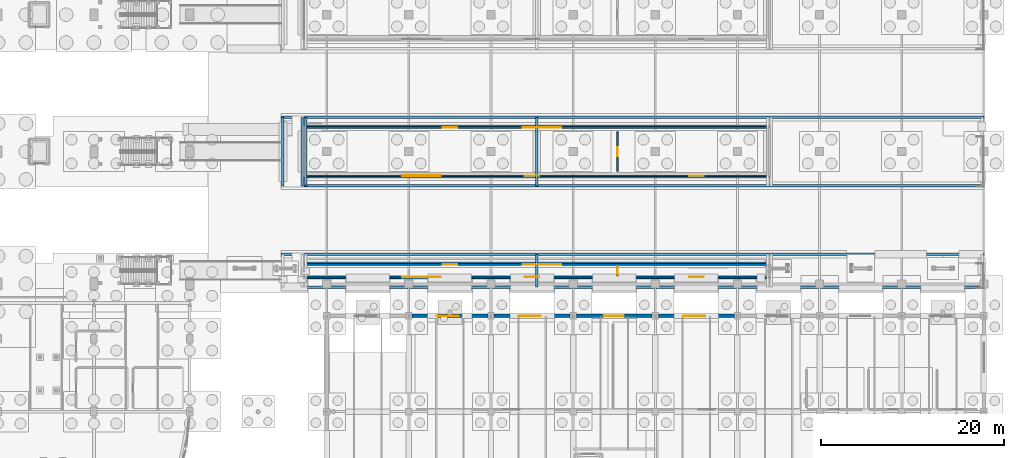
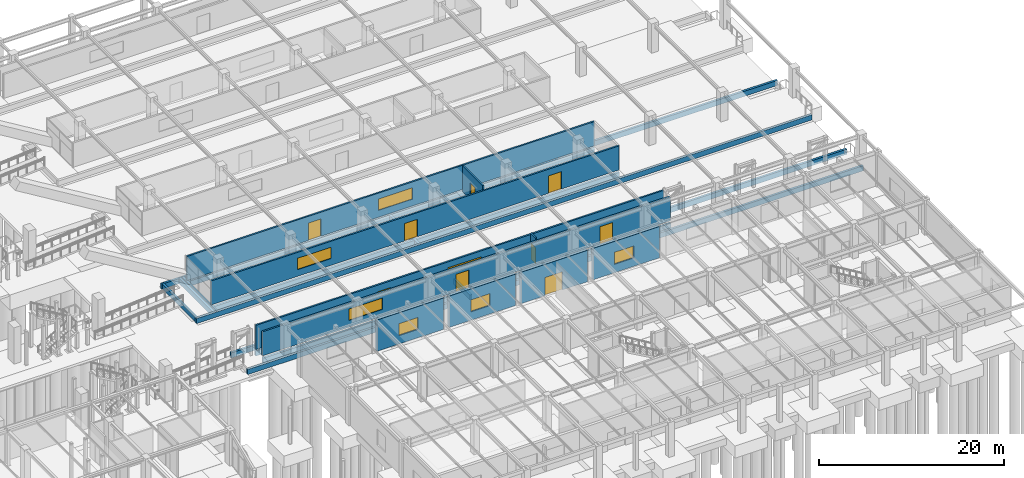
# One storey, part 108 of 160: 23 walls, 9 doors, 7 windows, 16 openings.
"""IFC4 building model written with IfcOpenShell, lengths in metres."""

from ifc_helpers import new_model, si_unit, direction, frame, frame_2d, origin, place, context, subcontext, project, spatial, rectangle, extrude, material, layer, layer_set, type_object, element, fill, save


model = new_model("IFC4")

# Units and contexts
model_context = context("Model", 3, precision=1e-05, world=origin(), true_north=direction((0.0, 1.0)))
body_context = subcontext(model_context, "Body", "Model", "MODEL_VIEW")
ifc_project = project(units=[si_unit("LENGTHUNIT", "METRE"), si_unit("AREAUNIT", "SQUARE_METRE"), si_unit("VOLUMEUNIT", "CUBIC_METRE"), si_unit("PLANEANGLEUNIT", "RADIAN"), si_unit("MASSUNIT", "GRAM", prefix="KILO")], contexts=[model_context])

# Site, building, storey
site_placement = place(None, origin())
site = spatial("IfcSite", under=ifc_project, at=site_placement, CompositionType="ELEMENT")
building_placement = place(site_placement, origin())
building = spatial("IfcBuilding", under=site, at=building_placement, Name="Marlcrest Central Station", CompositionType="ELEMENT")
storey_placement = place(building_placement, origin())
storey = spatial("IfcBuildingStorey", under=building, at=storey_placement, Name="L00", CompositionType="ELEMENT", Elevation=0.0)

# Wall, opening, window
ifc_material_1 = material(Name="St. Thomas limestone on Concrete C40/50", Category="masonry")
ifc_layer_1 = layer(ifc_material_1, 0.360107421875, Name="EW-06")
ifc_layer_set_1 = layer_set([ifc_layer_1], Name="St. Thomas limestone on Concrete C40/50")
wall_type_1 = type_object("IfcWallType", Name="EW-06", PredefinedType="SOLIDWALL", material=ifc_layer_set_1)
wall_1_placement = place(storey_placement, frame((153.35009765625, 33.0, 0.0), z_axis=(0.0, 0.0, 1.0), x_axis=(1.0, 0.0, 0.0)))
wall_1 = element("IfcWall", 1, at=wall_1_placement, inside=storey, type_object=wall_type_1, Name="ewall-L00-0040", PredefinedType="SOLIDWALL", context=body_context, shape_type="SweptSolid", body=[
    extrude(rectangle(XDim=8.2998046875, YDim=0.360107421875, at=frame_2d((4.14990234375, 0.0))), origin(), (0.0, 0.0, 1.0), 4.14990234375),
])
opening_1_placement = place(wall_1_placement, frame((2.699951171875, 0.0, 1.10009765625)))
opening_1 = element("IfcOpeningElement", 2, at=opening_1_placement, cuts=wall_1, Name="Opening WN-02", PredefinedType="OPENING", context=body_context, shape_type="SweptSolid", body=[
    extrude(rectangle(XDim=2.39990234375, YDim=1.60009765625, at=frame_2d((1.199951171875, 0.800048828125))), frame((0.0, 0.18994140625, 0.0), z_axis=(0.0, -1.0, 0.0), x_axis=(1.0, 0.0, 0.0)), (0.0, 0.0, 1.0), 0.380126953125),
])
ifc_material_2 = material(Name="Thermally broken bronze-anodised aluminium and laminated low-E glass", Category="aluminium")
window_type_1 = type_object("IfcWindowType", Name="WN-02", PartitioningType="SINGLE_PANEL", PredefinedType="WINDOW", material=ifc_material_2)
window_1_placement = place(opening_1_placement, origin())
window_1 = element("IfcWindow", 3, at=window_1_placement, inside=storey, type_object=window_type_1, Name="ewin-L00-0010", OverallHeight=1.60009765625, OverallWidth=2.39990234375, PartitioningType="SINGLE_PANEL", PredefinedType="WINDOW", context=body_context, shape_type="SweptSolid", body=[
    extrude(rectangle(XDim=2.39990234375, YDim=1.60009765625, at=frame_2d((1.199951171875, 0.800048828125))), frame((0.0, 0.030029296875, 0.0), z_axis=(0.0, -1.0, 0.0), x_axis=(1.0, 0.0, 0.0)), (0.0, 0.0, 1.0), 0.06005859375),
])
fill(opening_1, window_1)

wall_2_placement = place(storey_placement, frame((162.35009765625, 33.0, 0.0), z_axis=(0.0, 0.0, 1.0), x_axis=(1.0, 0.0, 0.0)))
wall_2 = element("IfcWall", 4, at=wall_2_placement, inside=storey, type_object=wall_type_1, Name="ewall-L00-0042", PredefinedType="SOLIDWALL", context=body_context, shape_type="SweptSolid", body=[
    extrude(rectangle(XDim=8.2998046875, YDim=0.360107421875, at=frame_2d((4.14990234375, 0.0))), origin(), (0.0, 0.0, 1.0), 4.14990234375),
])
opening_2_placement = place(wall_2_placement, frame((2.699951171875, 0.0, 1.10009765625)))
opening_2 = element("IfcOpeningElement", 5, at=opening_2_placement, cuts=wall_2, Name="Opening WN-02", PredefinedType="OPENING", context=body_context, shape_type="SweptSolid", body=[
    extrude(rectangle(XDim=2.39990234375, YDim=1.60009765625, at=frame_2d((1.199951171875, 0.800048828125))), frame((0.0, 0.18994140625, 0.0), z_axis=(0.0, -1.0, 0.0), x_axis=(1.0, 0.0, 0.0)), (0.0, 0.0, 1.0), 0.380126953125),
])
window_2_placement = place(opening_2_placement, origin())
window_2 = element("IfcWindow", 6, at=window_2_placement, inside=storey, type_object=window_type_1, Name="ewin-L00-0011", OverallHeight=1.60009765625, OverallWidth=2.39990234375, PartitioningType="SINGLE_PANEL", PredefinedType="WINDOW", context=body_context, shape_type="SweptSolid", body=[
    extrude(rectangle(XDim=2.39990234375, YDim=1.60009765625, at=frame_2d((1.199951171875, 0.800048828125))), frame((0.0, 0.030029296875, 0.0), z_axis=(0.0, -1.0, 0.0), x_axis=(1.0, 0.0, 0.0)), (0.0, 0.0, 1.0), 0.06005859375),
])
fill(opening_2, window_2)

# Wall, opening, door
wall_3_placement = place(storey_placement, frame((171.35009765625, 33.0, 0.0), z_axis=(0.0, 0.0, 1.0), x_axis=(1.0, 0.0, 0.0)))
wall_3 = element("IfcWall", 7, at=wall_3_placement, inside=storey, type_object=wall_type_1, Name="ewall-L00-0044", PredefinedType="SOLIDWALL", context=body_context, shape_type="SweptSolid", body=[
    extrude(rectangle(XDim=8.2998046875, YDim=0.360107421875, at=frame_2d((4.14990234375, 0.0))), origin(), (0.0, 0.0, 1.0), 4.14990234375),
])
opening_3_placement = place(wall_3_placement, frame((3.0, 0.0, 0.0)))
opening_3 = element("IfcOpeningElement", 8, at=opening_3_placement, cuts=wall_3, Name="Opening ED-01", PredefinedType="OPENING", context=body_context, shape_type="SweptSolid", body=[
    extrude(rectangle(XDim=2.199951171875, YDim=2.39990234375, at=frame_2d((1.10009765625, 1.199951171875))), frame((0.0, 0.18994140625, 0.0), z_axis=(0.0, -1.0, 0.0), x_axis=(1.0, 0.0, 0.0)), (0.0, 0.0, 1.0), 0.380126953125),
])
ifc_material_3 = material(Name="Thermally broken anodised aluminium and laminated safety glass", Category="aluminium")
door_type_1 = type_object("IfcDoorType", Name="ED-01", OperationType="DOUBLE_DOOR_SINGLE_SWING", PredefinedType="DOOR", material=ifc_material_3)
door_1_placement = place(opening_3_placement, origin())
door_1 = element("IfcDoor", 9, at=door_1_placement, inside=storey, type_object=door_type_1, Name="Retail Wing Stair Discharge Exit Door 023", OperationType="DOUBLE_DOOR_SINGLE_SWING", OverallHeight=2.39990234375, OverallWidth=2.199951171875, PredefinedType="DOOR", context=body_context, shape_type="SweptSolid", body=[
    extrude(rectangle(XDim=2.199951171875, YDim=2.39990234375, at=frame_2d((1.10009765625, 1.199951171875))), frame((0.0, 0.02490234375, 0.0), z_axis=(0.0, -1.0, 0.0), x_axis=(1.0, 0.0, 0.0)), (0.0, 0.0, 1.0), 0.050048828125),
])
fill(opening_3, door_1)

# Wall, opening, window
wall_4_placement = place(storey_placement, frame((180.35009765625, 33.0, 0.0), z_axis=(0.0, 0.0, 1.0), x_axis=(1.0, 0.0, 0.0)))
wall_4 = element("IfcWall", 10, at=wall_4_placement, inside=storey, type_object=wall_type_1, Name="ewall-L00-0046", PredefinedType="SOLIDWALL", context=body_context, shape_type="SweptSolid", body=[
    extrude(rectangle(XDim=8.2998046875, YDim=0.360107421875, at=frame_2d((4.14990234375, 0.0))), origin(), (0.0, 0.0, 1.0), 4.14990234375),
])
opening_4_placement = place(wall_4_placement, frame((2.699951171875, 0.0, 1.10009765625)))
opening_4 = element("IfcOpeningElement", 11, at=opening_4_placement, cuts=wall_4, Name="Opening WN-02", PredefinedType="OPENING", context=body_context, shape_type="SweptSolid", body=[
    extrude(rectangle(XDim=2.39990234375, YDim=1.60009765625, at=frame_2d((1.199951171875, 0.800048828125))), frame((0.0, 0.18994140625, 0.0), z_axis=(0.0, -1.0, 0.0), x_axis=(1.0, 0.0, 0.0)), (0.0, 0.0, 1.0), 0.380126953125),
])
window_3_placement = place(opening_4_placement, origin())
window_3 = element("IfcWindow", 12, at=window_3_placement, inside=storey, type_object=window_type_1, Name="ewin-L00-0014", OverallHeight=1.60009765625, OverallWidth=2.39990234375, PartitioningType="SINGLE_PANEL", PredefinedType="WINDOW", context=body_context, shape_type="SweptSolid", body=[
    extrude(rectangle(XDim=2.39990234375, YDim=1.60009765625, at=frame_2d((1.199951171875, 0.800048828125))), frame((0.0, 0.030029296875, 0.0), z_axis=(0.0, -1.0, 0.0), x_axis=(1.0, 0.0, 0.0)), (0.0, 0.0, 1.0), 0.06005859375),
])
fill(opening_4, window_3)

# Wall, openings, doors, window
ifc_material_4 = material(Name="Concrete C35/45", Category="concrete")
ifc_layer_2 = layer(ifc_material_4, 0.2099609375, Name="EW-08")
ifc_layer_set_2 = layer_set([ifc_layer_2], Name="Concrete C35/45")
wall_type_2 = type_object("IfcWallType", Name="EW-08", PredefinedType="SOLIDWALL", material=ifc_layer_set_2)
wall_5_placement = place(storey_placement, frame((192.5, 37.25, 0.9150390625), z_axis=(0.0, 0.0, 1.0), x_axis=(-1.0, 0.0, 0.0)))
wall_5 = element("IfcWall", 13, at=wall_5_placement, inside=storey, type_object=wall_type_2, Name="ewall-L00-0218", PredefinedType="SOLIDWALL", context=body_context, shape_type="SweptSolid", body=[
    extrude(rectangle(XDim=51.0, YDim=0.2099609375, at=frame_2d((25.5, 0.0))), origin(), (0.0, 0.0, 1.0), 3.18505859375),
])
opening_5_placement = place(wall_5_placement, frame((25.199951171875, 0.0, 0.0)))
opening_5 = element("IfcOpeningElement", 14, at=opening_5_placement, cuts=wall_5, Name="Opening ED-05", PredefinedType="OPENING", context=body_context, shape_type="SweptSolid", body=[
    extrude(rectangle(XDim=1.60009765625, YDim=2.300048828125, at=frame_2d((0.800048828125, 1.14990234375))), frame((0.0, 0.114990234375, 0.0), z_axis=(0.0, -1.0, 0.0), x_axis=(1.0, 0.0, 0.0)), (0.0, 0.0, 1.0), 0.22998046875),
])
opening_6_placement = place(wall_5_placement, frame((7.199951171875, 0.0, 0.0)))
opening_6 = element("IfcOpeningElement", 15, at=opening_6_placement, cuts=wall_5, Name="Opening ED-05", PredefinedType="OPENING", context=body_context, shape_type="SweptSolid", body=[
    extrude(rectangle(XDim=1.60009765625, YDim=2.300048828125, at=frame_2d((0.800048828125, 1.14990234375))), frame((0.0, 0.114990234375, 0.0), z_axis=(0.0, -1.0, 0.0), x_axis=(1.0, 0.0, 0.0)), (0.0, 0.0, 1.0), 0.22998046875),
])
opening_7_placement = place(wall_5_placement, frame((36.0, 0.0, 0.89990234375)))
opening_7 = element("IfcOpeningElement", 16, at=opening_7_placement, cuts=wall_5, Name="Opening WN-12", PredefinedType="OPENING", context=body_context, shape_type="SweptSolid", body=[
    extrude(rectangle(XDim=4.199951171875, YDim=1.5, at=frame_2d((2.10009765625, 0.75))), frame((0.0, 0.114990234375, 0.0), z_axis=(0.0, -1.0, 0.0), x_axis=(1.0, 0.0, 0.0)), (0.0, 0.0, 1.0), 0.22998046875),
])
door_type_2 = type_object("IfcDoorType", Name="ED-05", OperationType="DOUBLE_DOOR_SINGLE_SWING", PredefinedType="DOOR", material=ifc_material_3)
door_2_placement = place(opening_5_placement, origin())
door_2 = element("IfcDoor", 17, at=door_2_placement, inside=storey, type_object=door_type_2, Name="Platform 1 E South Lounge Door 048", OperationType="DOUBLE_DOOR_SINGLE_SWING", OverallHeight=2.300048828125, OverallWidth=1.60009765625, PredefinedType="DOOR", context=body_context, shape_type="SweptSolid", body=[
    extrude(rectangle(XDim=1.60009765625, YDim=2.300048828125, at=frame_2d((0.800048828125, 1.14990234375))), frame((0.0, 0.02490234375, 0.0), z_axis=(0.0, -1.0, 0.0), x_axis=(1.0, 0.0, 0.0)), (0.0, 0.0, 1.0), 0.050048828125),
])
fill(opening_5, door_2)
door_3_placement = place(opening_6_placement, origin())
door_3 = element("IfcDoor", 18, at=door_3_placement, inside=storey, type_object=door_type_2, Name="Platform 1 E Pod Door 049", OperationType="DOUBLE_DOOR_SINGLE_SWING", OverallHeight=2.300048828125, OverallWidth=1.60009765625, PredefinedType="DOOR", context=body_context, shape_type="SweptSolid", body=[
    extrude(rectangle(XDim=1.60009765625, YDim=2.300048828125, at=frame_2d((0.800048828125, 1.14990234375))), frame((0.0, 0.02490234375, 0.0), z_axis=(0.0, -1.0, 0.0), x_axis=(1.0, 0.0, 0.0)), (0.0, 0.0, 1.0), 0.050048828125),
])
fill(opening_6, door_3)
window_type_2 = type_object("IfcWindowType", Name="WN-12", PartitioningType="SINGLE_PANEL", PredefinedType="WINDOW", material=ifc_material_2)
window_4_placement = place(opening_7_placement, origin())
window_4 = element("IfcWindow", 19, at=window_4_placement, inside=storey, type_object=window_type_2, Name="ewin-L00-0170", OverallHeight=1.5, OverallWidth=4.199951171875, PartitioningType="SINGLE_PANEL", PredefinedType="WINDOW", context=body_context, shape_type="SweptSolid", body=[
    extrude(rectangle(XDim=4.199951171875, YDim=1.5, at=frame_2d((2.10009765625, 0.75))), frame((0.0, 0.030029296875, 0.0), z_axis=(0.0, -1.0, 0.0), x_axis=(1.0, 0.0, 0.0)), (0.0, 0.0, 1.0), 0.06005859375),
])
fill(opening_7, window_4)

# Wall, openings, door, window
wall_6_placement = place(storey_placement, frame((141.5, 38.64990234375, 0.9150390625), z_axis=(0.0, 0.0, 1.0), x_axis=(1.0, 0.0, 0.0)))
wall_6 = element("IfcWall", 20, at=wall_6_placement, inside=storey, type_object=wall_type_2, Name="ewall-L00-0219", PredefinedType="SOLIDWALL", context=body_context, shape_type="SweptSolid", body=[
    extrude(rectangle(XDim=51.0, YDim=0.2099609375, at=frame_2d((25.5, 0.0))), origin(), (0.0, 0.0, 1.0), 3.18505859375),
])
opening_8_placement = place(wall_6_placement, frame((15.199951171875, 0.0, 0.0)))
opening_8 = element("IfcOpeningElement", 21, at=opening_8_placement, cuts=wall_6, Name="Opening ED-05", PredefinedType="OPENING", context=body_context, shape_type="SweptSolid", body=[
    extrude(rectangle(XDim=1.60009765625, YDim=2.300048828125, at=frame_2d((0.800048828125, 1.14990234375))), frame((0.0, 0.114990234375, 0.0), z_axis=(0.0, -1.0, 0.0), x_axis=(1.0, 0.0, 0.0)), (0.0, 0.0, 1.0), 0.22998046875),
])
opening_9_placement = place(wall_6_placement, frame((24.0, 0.0, 0.89990234375)))
opening_9 = element("IfcOpeningElement", 22, at=opening_9_placement, cuts=wall_6, Name="Opening WN-12", PredefinedType="OPENING", context=body_context, shape_type="SweptSolid", body=[
    extrude(rectangle(XDim=4.199951171875, YDim=1.5, at=frame_2d((2.10009765625, 0.75))), frame((0.0, 0.114990234375, 0.0), z_axis=(0.0, -1.0, 0.0), x_axis=(1.0, 0.0, 0.0)), (0.0, 0.0, 1.0), 0.22998046875),
])
door_4_placement = place(opening_8_placement, origin())
door_4 = element("IfcDoor", 23, at=door_4_placement, inside=storey, type_object=door_type_2, Name="Platform 1 E North Lounge Door 050", OperationType="DOUBLE_DOOR_SINGLE_SWING", OverallHeight=2.300048828125, OverallWidth=1.60009765625, PredefinedType="DOOR", context=body_context, shape_type="SweptSolid", body=[
    extrude(rectangle(XDim=1.60009765625, YDim=2.300048828125, at=frame_2d((0.800048828125, 1.14990234375))), frame((0.0, 0.02490234375, 0.0), z_axis=(0.0, -1.0, 0.0), x_axis=(1.0, 0.0, 0.0)), (0.0, 0.0, 1.0), 0.050048828125),
])
fill(opening_8, door_4)
window_5_placement = place(opening_9_placement, origin())
window_5 = element("IfcWindow", 24, at=window_5_placement, inside=storey, type_object=window_type_2, Name="ewin-L00-0171", OverallHeight=1.5, OverallWidth=4.199951171875, PartitioningType="SINGLE_PANEL", PredefinedType="WINDOW", context=body_context, shape_type="SweptSolid", body=[
    extrude(rectangle(XDim=4.199951171875, YDim=1.5, at=frame_2d((2.10009765625, 0.75))), frame((0.0, 0.030029296875, 0.0), z_axis=(0.0, -1.0, 0.0), x_axis=(1.0, 0.0, 0.0)), (0.0, 0.0, 1.0), 0.06005859375),
])
fill(opening_9, window_5)

# Wall, openings, doors, window
wall_7_placement = place(storey_placement, frame((192.5, 48.35009765625, 0.9150390625), z_axis=(0.0, 0.0, 1.0), x_axis=(-1.0, 0.0, 0.0)))
wall_7 = element("IfcWall", 25, at=wall_7_placement, inside=storey, type_object=wall_type_2, Name="ewall-L00-0224", PredefinedType="SOLIDWALL", context=body_context, shape_type="SweptSolid", body=[
    extrude(rectangle(XDim=51.0, YDim=0.2099609375, at=frame_2d((25.5, 0.0))), origin(), (0.0, 0.0, 1.0), 3.18505859375),
])
opening_10_placement = place(wall_7_placement, frame((25.199951171875, 0.0, 0.0)))
opening_10 = element("IfcOpeningElement", 26, at=opening_10_placement, cuts=wall_7, Name="Opening ED-05", PredefinedType="OPENING", context=body_context, shape_type="SweptSolid", body=[
    extrude(rectangle(XDim=1.60009765625, YDim=2.300048828125, at=frame_2d((0.800048828125, 1.14990234375))), frame((0.0, 0.114990234375, 0.0), z_axis=(0.0, -1.0, 0.0), x_axis=(1.0, 0.0, 0.0)), (0.0, 0.0, 1.0), 0.22998046875),
])
opening_11_placement = place(wall_7_placement, frame((7.199951171875, 0.0, 0.0)))
opening_11 = element("IfcOpeningElement", 27, at=opening_11_placement, cuts=wall_7, Name="Opening ED-05", PredefinedType="OPENING", context=body_context, shape_type="SweptSolid", body=[
    extrude(rectangle(XDim=1.60009765625, YDim=2.300048828125, at=frame_2d((0.800048828125, 1.14990234375))), frame((0.0, 0.114990234375, 0.0), z_axis=(0.0, -1.0, 0.0), x_axis=(1.0, 0.0, 0.0)), (0.0, 0.0, 1.0), 0.22998046875),
])
opening_12_placement = place(wall_7_placement, frame((36.0, 0.0, 0.89990234375)))
opening_12 = element("IfcOpeningElement", 28, at=opening_12_placement, cuts=wall_7, Name="Opening WN-12", PredefinedType="OPENING", context=body_context, shape_type="SweptSolid", body=[
    extrude(rectangle(XDim=4.199951171875, YDim=1.5, at=frame_2d((2.10009765625, 0.75))), frame((0.0, 0.114990234375, 0.0), z_axis=(0.0, -1.0, 0.0), x_axis=(1.0, 0.0, 0.0)), (0.0, 0.0, 1.0), 0.22998046875),
])
door_5_placement = place(opening_10_placement, origin())
door_5 = element("IfcDoor", 29, at=door_5_placement, inside=storey, type_object=door_type_2, Name="Platform 2 E South Lounge Door 054", OperationType="DOUBLE_DOOR_SINGLE_SWING", OverallHeight=2.300048828125, OverallWidth=1.60009765625, PredefinedType="DOOR", context=body_context, shape_type="SweptSolid", body=[
    extrude(rectangle(XDim=1.60009765625, YDim=2.300048828125, at=frame_2d((0.800048828125, 1.14990234375))), frame((0.0, 0.02490234375, 0.0), z_axis=(0.0, -1.0, 0.0), x_axis=(1.0, 0.0, 0.0)), (0.0, 0.0, 1.0), 0.050048828125),
])
fill(opening_10, door_5)
door_6_placement = place(opening_11_placement, origin())
door_6 = element("IfcDoor", 30, at=door_6_placement, inside=storey, type_object=door_type_2, Name="Platform 2 E Pod Door 055", OperationType="DOUBLE_DOOR_SINGLE_SWING", OverallHeight=2.300048828125, OverallWidth=1.60009765625, PredefinedType="DOOR", context=body_context, shape_type="SweptSolid", body=[
    extrude(rectangle(XDim=1.60009765625, YDim=2.300048828125, at=frame_2d((0.800048828125, 1.14990234375))), frame((0.0, 0.02490234375, 0.0), z_axis=(0.0, -1.0, 0.0), x_axis=(1.0, 0.0, 0.0)), (0.0, 0.0, 1.0), 0.050048828125),
])
fill(opening_11, door_6)
window_6_placement = place(opening_12_placement, origin())
window_6 = element("IfcWindow", 31, at=window_6_placement, inside=storey, type_object=window_type_2, Name="ewin-L00-0174", OverallHeight=1.5, OverallWidth=4.199951171875, PartitioningType="SINGLE_PANEL", PredefinedType="WINDOW", context=body_context, shape_type="SweptSolid", body=[
    extrude(rectangle(XDim=4.199951171875, YDim=1.5, at=frame_2d((2.10009765625, 0.75))), frame((0.0, 0.030029296875, 0.0), z_axis=(0.0, -1.0, 0.0), x_axis=(1.0, 0.0, 0.0)), (0.0, 0.0, 1.0), 0.06005859375),
])
fill(opening_12, window_6)

# Wall, openings, door, window
wall_8_placement = place(storey_placement, frame((141.5, 53.64990234375, 0.9150390625), z_axis=(0.0, 0.0, 1.0), x_axis=(1.0, 0.0, 0.0)))
wall_8 = element("IfcWall", 32, at=wall_8_placement, inside=storey, type_object=wall_type_2, Name="ewall-L00-0225", PredefinedType="SOLIDWALL", context=body_context, shape_type="SweptSolid", body=[
    extrude(rectangle(XDim=51.0, YDim=0.2099609375, at=frame_2d((25.5, 0.0))), origin(), (0.0, 0.0, 1.0), 3.18505859375),
])
opening_13_placement = place(wall_8_placement, frame((15.199951171875, 0.0, 0.0)))
opening_13 = element("IfcOpeningElement", 33, at=opening_13_placement, cuts=wall_8, Name="Opening ED-05", PredefinedType="OPENING", context=body_context, shape_type="SweptSolid", body=[
    extrude(rectangle(XDim=1.60009765625, YDim=2.300048828125, at=frame_2d((0.800048828125, 1.14990234375))), frame((0.0, 0.114990234375, 0.0), z_axis=(0.0, -1.0, 0.0), x_axis=(1.0, 0.0, 0.0)), (0.0, 0.0, 1.0), 0.22998046875),
])
opening_14_placement = place(wall_8_placement, frame((24.0, 0.0, 0.89990234375)))
opening_14 = element("IfcOpeningElement", 34, at=opening_14_placement, cuts=wall_8, Name="Opening WN-12", PredefinedType="OPENING", context=body_context, shape_type="SweptSolid", body=[
    extrude(rectangle(XDim=4.199951171875, YDim=1.5, at=frame_2d((2.10009765625, 0.75))), frame((0.0, 0.114990234375, 0.0), z_axis=(0.0, -1.0, 0.0), x_axis=(1.0, 0.0, 0.0)), (0.0, 0.0, 1.0), 0.22998046875),
])
door_7_placement = place(opening_13_placement, origin())
door_7 = element("IfcDoor", 35, at=door_7_placement, inside=storey, type_object=door_type_2, Name="Platform 2 E North Lounge Door 056", OperationType="DOUBLE_DOOR_SINGLE_SWING", OverallHeight=2.300048828125, OverallWidth=1.60009765625, PredefinedType="DOOR", context=body_context, shape_type="SweptSolid", body=[
    extrude(rectangle(XDim=1.60009765625, YDim=2.300048828125, at=frame_2d((0.800048828125, 1.14990234375))), frame((0.0, 0.02490234375, 0.0), z_axis=(0.0, -1.0, 0.0), x_axis=(1.0, 0.0, 0.0)), (0.0, 0.0, 1.0), 0.050048828125),
])
fill(opening_13, door_7)
window_7_placement = place(opening_14_placement, origin())
window_7 = element("IfcWindow", 36, at=window_7_placement, inside=storey, type_object=window_type_2, Name="ewin-L00-0175", OverallHeight=1.5, OverallWidth=4.199951171875, PartitioningType="SINGLE_PANEL", PredefinedType="WINDOW", context=body_context, shape_type="SweptSolid", body=[
    extrude(rectangle(XDim=4.199951171875, YDim=1.5, at=frame_2d((2.10009765625, 0.75))), frame((0.0, 0.030029296875, 0.0), z_axis=(0.0, -1.0, 0.0), x_axis=(1.0, 0.0, 0.0)), (0.0, 0.0, 1.0), 0.06005859375),
])
fill(opening_14, window_7)

# Wall, opening, door
ifc_material_5 = material(Name="Fire-rated corridor blockwork partition", Category="masonry")
ifc_layer_3 = layer(ifc_material_5, 0.179931640625, Name="PT-04")
ifc_layer_set_3 = layer_set([ifc_layer_3], Name="Fire-rated corridor blockwork partition")
wall_type_3 = type_object("IfcWallType", Name="PT-04", PredefinedType="PARTITIONING", material=ifc_layer_set_3)
wall_9_placement = place(storey_placement, frame((175.860107421875, 37.409912109375, 0.9150390625), z_axis=(0.0, 0.0, 1.0), x_axis=(0.0, 1.0, 0.0)))
wall_9 = element("IfcWall", 37, at=wall_9_placement, inside=storey, type_object=wall_type_3, Name="iwall-L00-00019", PredefinedType="PARTITIONING", context=body_context, shape_type="SweptSolid", body=[
    extrude(rectangle(XDim=1.080078125, YDim=0.179931640625, at=frame_2d((0.5400390625, 0.0))), origin(), (0.0, 0.0, 1.0), 3.43505859375),
])
opening_15_placement = place(wall_9_placement, frame((0.080078125, 0.0, 0.0)))
opening_15 = element("IfcOpeningElement", 38, at=opening_15_placement, cuts=wall_9, Name="Opening ID-07", PredefinedType="OPENING", context=body_context, shape_type="SweptSolid", body=[
    extrude(rectangle(XDim=0.919921875, YDim=2.10009765625, at=frame_2d((0.4599609375, 1.050048828125))), frame((0.0, 0.099853515625, 0.0), z_axis=(0.0, -1.0, 0.0), x_axis=(1.0, 0.0, 0.0)), (0.0, 0.0, 1.0), 0.199951171875),
])
ifc_material_6 = material(Name="Cleaner and store room door")
door_type_3 = type_object("IfcDoorType", Name="ID-07", OperationType="NOTDEFINED", PredefinedType="DOOR", material=ifc_material_6)
door_8_placement = place(opening_15_placement, origin())
door_8 = element("IfcDoor", 39, at=door_8_placement, inside=storey, type_object=door_type_3, Name="L00-PC1 0011", OperationType="SINGLE_SWING_RIGHT", OverallHeight=2.10009765625, OverallWidth=0.919921875, PredefinedType="DOOR", context=body_context, shape_type="SweptSolid", body=[
    extrude(rectangle(XDim=0.919921875, YDim=2.10009765625, at=frame_2d((0.4599609375, 1.050048828125))), frame((0.0, 0.02490234375, 0.0), z_axis=(0.0, -1.0, 0.0), x_axis=(1.0, 0.0, 0.0)), (0.0, 0.0, 1.0), 0.050048828125),
])
fill(opening_15, door_8)

wall_10_placement = place(storey_placement, frame((175.860107421875, 48.830078125, 0.9150390625), z_axis=(0.0, 0.0, 1.0), x_axis=(0.0, 1.0, 0.0)))
wall_10 = element("IfcWall", 40, at=wall_10_placement, inside=storey, type_object=wall_type_3, Name="iwall-L00-00021", PredefinedType="PARTITIONING", context=body_context, shape_type="SweptSolid", body=[
    extrude(rectangle(XDim=4.33984375, YDim=0.179931640625, at=frame_2d((2.169921875, 0.0))), origin(), (0.0, 0.0, 1.0), 3.43505859375),
])
opening_16_placement = place(wall_10_placement, frame((1.669921875, 0.0, 0.0)))
opening_16 = element("IfcOpeningElement", 41, at=opening_16_placement, cuts=wall_10, Name="Opening ID-02", PredefinedType="OPENING", context=body_context, shape_type="SweptSolid", body=[
    extrude(rectangle(XDim=1.0, YDim=2.14990234375, at=frame_2d((0.5, 1.074951171875))), frame((0.0, 0.099853515625, 0.0), z_axis=(0.0, -1.0, 0.0), x_axis=(1.0, 0.0, 0.0)), (0.0, 0.0, 1.0), 0.199951171875),
])
ifc_material_7 = material(Name="Solid-core hardwood office door", Category="wood")
door_type_4 = type_object("IfcDoorType", Name="ID-02", OperationType="NOTDEFINED", PredefinedType="DOOR", material=ifc_material_7)
door_9_placement = place(opening_16_placement, origin())
door_9 = element("IfcDoor", 42, at=door_9_placement, inside=storey, type_object=door_type_4, Name="L00-PT2 0013", OperationType="SINGLE_SWING_RIGHT", OverallHeight=2.14990234375, OverallWidth=1.0, PredefinedType="DOOR", context=body_context, shape_type="SweptSolid", body=[
    extrude(rectangle(XDim=1.0, YDim=2.14990234375, at=frame_2d((0.5, 1.074951171875))), frame((0.0, 0.02490234375, 0.0), z_axis=(0.0, -1.0, 0.0), x_axis=(1.0, 0.0, 0.0)), (0.0, 0.0, 1.0), 0.050048828125),
])
fill(opening_16, door_9)

# Walls
ifc_layer_4 = layer(ifc_material_4, 0.27490234375, Name="PW-01")
ifc_layer_set_4 = layer_set([ifc_layer_4], Name="Concrete C35/45")
wall_type_4 = type_object("IfcWallType", Name="PW-01", PredefinedType="SOLIDWALL", material=ifc_layer_set_4)
for number, where, z_axis, x_axis, name in (
    (43, (139.0, 36.14990234375, 0.0), (0.0, 0.0, 1.0), (1.0, 0.0, 0.0), "swall-L00-0066"),
    (44, (139.0, 39.75, 0.0), (0.0, 0.0, 1.0), (1.0, 0.0, 0.0), "swall-L00-0067"),
):
    element("IfcWall", number, at=place(storey_placement, frame(where, z_axis=z_axis, x_axis=x_axis)), inside=storey, type_object=wall_type_4, Name=name, PredefinedType="SOLIDWALL", context=body_context, shape_type="SweptSolid", body=[
        extrude(rectangle(XDim=77.0, YDim=0.27490234375, at=frame_2d((38.5, 0.0))), origin(), (0.0, 0.0, 1.0), 0.675048828125),
    ])
for number, where, z_axis, x_axis, name in (
    (45, (141.5, 37.14990234375, 0.0), (0.0, 0.0, 1.0), (1.0, 0.0, 0.0), "swall-L00-0068"),
    (46, (141.5, 38.75, 0.0), (0.0, 0.0, 1.0), (1.0, 0.0, 0.0), "swall-L00-0069"),
):
    element("IfcWall", number, at=place(storey_placement, frame(where, z_axis=z_axis, x_axis=x_axis)), inside=storey, type_object=wall_type_4, Name=name, PredefinedType="SOLIDWALL", context=body_context, shape_type="SweptSolid", body=[
        extrude(rectangle(XDim=51.0, YDim=0.27490234375, at=frame_2d((25.5, 0.0))), origin(), (0.0, 0.0, 1.0), 0.675048828125),
    ])
wall_11_placement = place(storey_placement, frame((167.0, 36.14990234375, 0.0), z_axis=(0.0, 0.0, 1.0), x_axis=(0.0, 1.0, 0.0)))
element("IfcWall", 47, at=wall_11_placement, inside=storey, type_object=wall_type_4, Name="swall-L00-0073", PredefinedType="SOLIDWALL", context=body_context, shape_type="SweptSolid", body=[
    extrude(rectangle(XDim=3.60009765625, YDim=0.27490234375, at=frame_2d((1.800048828125, 0.0))), origin(), (0.0, 0.0, 1.0), 0.675048828125),
])
for number, where, z_axis, x_axis, name in (
    (48, (139.0, 47.25, 0.0), (0.0, 0.0, 1.0), (1.0, 0.0, 0.0), "swall-L00-0088"),
    (49, (139.0, 54.75, 0.0), (0.0, 0.0, 1.0), (1.0, 0.0, 0.0), "swall-L00-0089"),
):
    element("IfcWall", number, at=place(storey_placement, frame(where, z_axis=z_axis, x_axis=x_axis)), inside=storey, type_object=wall_type_4, Name=name, PredefinedType="SOLIDWALL", context=body_context, shape_type="SweptSolid", body=[
        extrude(rectangle(XDim=77.0, YDim=0.27490234375, at=frame_2d((38.5, 0.0))), origin(), (0.0, 0.0, 1.0), 0.675048828125),
    ])
for number, where, z_axis, x_axis, name in (
    (50, (141.5, 48.25, 0.0), (0.0, 0.0, 1.0), (1.0, 0.0, 0.0), "swall-L00-0090"),
    (51, (141.5, 53.75, 0.0), (0.0, 0.0, 1.0), (1.0, 0.0, 0.0), "swall-L00-0091"),
):
    element("IfcWall", number, at=place(storey_placement, frame(where, z_axis=z_axis, x_axis=x_axis)), inside=storey, type_object=wall_type_4, Name=name, PredefinedType="SOLIDWALL", context=body_context, shape_type="SweptSolid", body=[
        extrude(rectangle(XDim=51.0, YDim=0.27490234375, at=frame_2d((25.5, 0.0))), origin(), (0.0, 0.0, 1.0), 0.675048828125),
    ])
for number, where, z_axis, x_axis, name in (
    (52, (139.199951171875, 47.25, 0.0), (0.0, 0.0, 1.0), (0.0, 1.0, 0.0), "swall-L00-0092"),
    (53, (141.300048828125, 47.25, 0.0), (0.0, 0.0, 1.0), (0.0, 1.0, 0.0), "swall-L00-0093"),
    (54, (141.699951171875, 47.25, 0.0), (0.0, 0.0, 1.0), (0.0, 1.0, 0.0), "swall-L00-0094"),
    (55, (167.0, 47.25, 0.0), (0.0, 0.0, 1.0), (0.0, 1.0, 0.0), "swall-L00-0095"),
):
    element("IfcWall", number, at=place(storey_placement, frame(where, z_axis=z_axis, x_axis=x_axis)), inside=storey, type_object=wall_type_4, Name=name, PredefinedType="SOLIDWALL", context=body_context, shape_type="SweptSolid", body=[
        extrude(rectangle(XDim=7.5, YDim=0.27490234375, at=frame_2d((3.75, 0.0))), origin(), (0.0, 0.0, 1.0), 0.675048828125),
    ])

save(model, "model.ifc")
